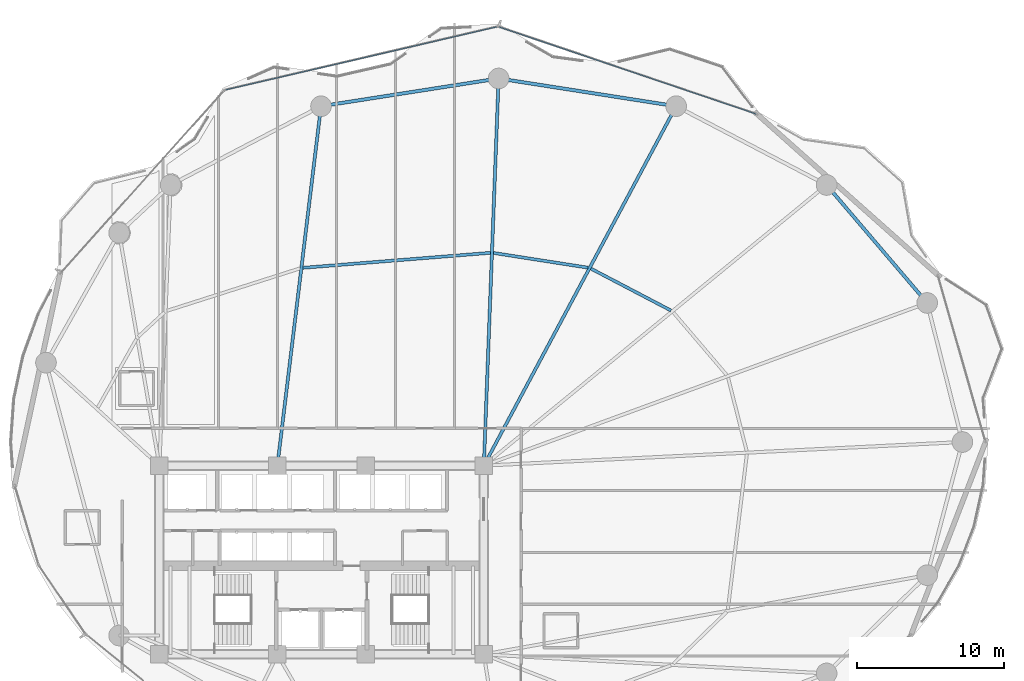
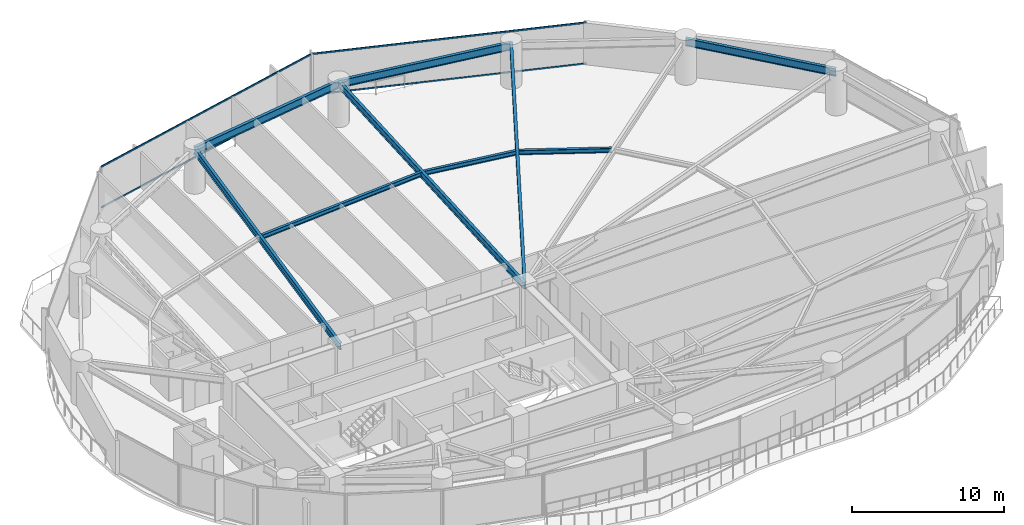
# One storey, part 20 of 31: 9 beams, 4 members, 2 elements without a shape of their own.
"""IFC4 building model written with IfcOpenShell, lengths in metres."""

from ifc_helpers import new_model, si_unit, direction, frame, origin, origin_2d, place, context, subcontext, project, spatial, hollow_rectangle, i_section, extrude, material, layer, layer_set, material_profile, profile_set, type_object, element, aggregate, save


model = new_model("IFC4")

# Units and contexts
model_context = context("Model", 3, precision=1e-05, world=origin(), true_north=direction((0.0, 1.0)))
body_context = subcontext(model_context, "Body", "Model", "MODEL_VIEW")
ifc_project = project(units=[si_unit("LENGTHUNIT", "METRE"), si_unit("AREAUNIT", "SQUARE_METRE"), si_unit("VOLUMEUNIT", "CUBIC_METRE"), si_unit("PLANEANGLEUNIT", "RADIAN"), si_unit("MASSUNIT", "GRAM", prefix="KILO")], contexts=[model_context])

# Site, building, storey
site_placement = place(None, origin())
site = spatial("IfcSite", under=ifc_project, at=site_placement, CompositionType="ELEMENT")
building_placement = place(site_placement, origin())
building = spatial("IfcBuilding", under=site, at=building_placement, Name="Kazevale Care Tower and Concert Hall", CompositionType="ELEMENT")
storey_placement = place(building_placement, frame((0.0, 0.0, 78.0)))
storey = spatial("IfcBuildingStorey", under=building, at=storey_placement, Name="L20", CompositionType="ELEMENT", Elevation=78.0)

# Curtain wall, members
ifc_material_1 = material(Name="Aluminium 6063-T6 and Low-E Glass", Category="aluminium")
ifc_layer_1 = layer(ifc_material_1, 0.179931640625)
ifc_layer_set_1 = layer_set([ifc_layer_1], Name="Aluminium 6063-T6 and Low-E Glass")
curtain_wall_type_1 = type_object("IfcCurtainWallType", Name="Convex Checkerboard Finned Curtain Wall CW-2", PredefinedType="NOTDEFINED", material=ifc_layer_set_1)
curtain_wall_1_placement = place(storey_placement, origin())
curtain_wall_1 = element("IfcCurtainWall", 1, at=curtain_wall_1_placement, inside=storey, type_object=curtain_wall_type_1, Name="cw:L20:f16", PredefinedType="NOTDEFINED")
ifc_material_2 = material(Name="Aluminium 6063-T6", Category="aluminium")
ifc_material_profile_1 = material_profile(ifc_material_2, hollow_rectangle(XDim=0.074951171875, YDim=0.1201171875, WallThickness=0.00390625, at=origin_2d()), Name="ALU75x120x4")
ifc_profile_set_1 = profile_set([ifc_material_profile_1], Name="Aluminium 6063-T6")
member_type_1 = type_object("IfcMemberType", Name="CW-2 Transom ALU75x120x4", PredefinedType="USERDEFINED", material=ifc_profile_set_1)
member_1_placement = place(storey_placement, frame((45.03173828125, 66.142333984375, 0.03759765625), z_axis=(0.947204752806, -0.320629312855, 0.0), x_axis=(0.320629312855, 0.947204752806, 0.0)))
member_1 = element("IfcMember", 2, at=member_1_placement, type_object=member_type_1, Name="CW-2 transom 1.1", ObjectType="TRANSOM", PredefinedType="USERDEFINED", context=body_context, shape_type="SweptSolid", body=[
    extrude(hollow_rectangle(XDim=0.074951171875, YDim=0.1201171875, WallThickness=0.00390625, at=origin_2d()), origin(), (0.0, 0.0, 1.0), 18.40625),
])
member_2_placement = place(storey_placement, frame((45.03173828125, 66.142333984375, 3.322509765625), z_axis=(0.947204752806, -0.320629312855, 0.0), x_axis=(0.320629312855, 0.947204752806, 0.0)))
member_2 = element("IfcMember", 3, at=member_2_placement, type_object=member_type_1, Name="CW-2 transom 1.2", ObjectType="TRANSOM", PredefinedType="USERDEFINED", context=body_context, shape_type="SweptSolid", body=[
    extrude(hollow_rectangle(XDim=0.074951171875, YDim=0.1201171875, WallThickness=0.00390625, at=origin_2d()), origin(), (0.0, 0.0, 1.0), 18.40625),
])
aggregate(curtain_wall_1, [member_1, member_2])

ifc_layer_2 = layer(ifc_material_1, 0.179931640625)
ifc_layer_set_2 = layer_set([ifc_layer_2], Name="Aluminium 6063-T6 and Low-E Glass")
curtain_wall_type_2 = type_object("IfcCurtainWallType", Name="Convex Recessed Sunroom Curtain Wall CW-3", PredefinedType="NOTDEFINED", material=ifc_layer_set_2)
curtain_wall_2_placement = place(storey_placement, origin())
curtain_wall_2 = element("IfcCurtainWall", 4, at=curtain_wall_2_placement, inside=storey, type_object=curtain_wall_type_2, Name="cw:L20:f15", PredefinedType="NOTDEFINED")
ifc_material_profile_2 = material_profile(ifc_material_2, hollow_rectangle(XDim=0.074951171875, YDim=0.1201171875, WallThickness=0.00390625, at=origin_2d()), Name="ALU75x120x4")
ifc_profile_set_2 = profile_set([ifc_material_profile_2], Name="Aluminium 6063-T6")
member_type_2 = type_object("IfcMemberType", Name="CW-3 Transom ALU75x120x4", PredefinedType="USERDEFINED", material=ifc_profile_set_2)
member_3_placement = place(storey_placement, frame((26.498046875, 61.8798828125, 0.03759765625), z_axis=(0.974058773015, 0.226295176069, 0.0), x_axis=(-0.226295176069, 0.974058773015, 0.0)))
member_3 = element("IfcMember", 5, at=member_3_placement, type_object=member_type_2, Name="CW-3 transom 1.1", ObjectType="TRANSOM", PredefinedType="USERDEFINED", context=body_context, shape_type="SweptSolid", body=[
    extrude(hollow_rectangle(XDim=0.074951171875, YDim=0.1201171875, WallThickness=0.00390625, at=origin_2d()), origin(), (0.0, 0.0, 1.0), 18.874755859375),
])
member_4_placement = place(storey_placement, frame((26.498046875, 61.8798828125, 3.322509765625), z_axis=(0.974058773015, 0.226295176069, 0.0), x_axis=(-0.226295176069, 0.974058773015, 0.0)))
member_4 = element("IfcMember", 6, at=member_4_placement, type_object=member_type_2, Name="CW-3 transom 1.2", ObjectType="TRANSOM", PredefinedType="USERDEFINED", context=body_context, shape_type="SweptSolid", body=[
    extrude(hollow_rectangle(XDim=0.074951171875, YDim=0.1201171875, WallThickness=0.00390625, at=origin_2d()), origin(), (0.0, 0.0, 1.0), 18.874755859375),
])
aggregate(curtain_wall_2, [member_3, member_4])

# Beams
ifc_material_3 = material(Name="Steel ASTM A572 Gr 50", Category="steel")
ifc_material_profile_3 = material_profile(ifc_material_3, i_section(OverallWidth=0.2119140625, OverallDepth=0.5439453125, WebThickness=0.01318359375, FlangeThickness=0.021240234375, at=origin_2d()), Name="W530x123")
ifc_profile_set_3 = profile_set([ifc_material_profile_3], Name="Steel ASTM A572 Gr 50")
beam_type_1 = type_object("IfcBeamType", Name="Radial Floor Girder W530x123", PredefinedType="BEAM", material=ifc_profile_set_3)
beam_1_placement = place(storey_placement, frame((44.0, 36.39990234375, 3.087890625), z_axis=(0.471788966953, 0.88171150081, 0.0), x_axis=(-0.88171150081, 0.471788966953, 0.0)))
element("IfcBeam", 7, at=beam_1_placement, inside=storey, type_object=beam_type_1, Name="beam:L20:rad:04", PredefinedType="BEAM", context=body_context, shape_type="SweptSolid", body=[
    extrude(i_section(OverallWidth=0.2119140625, OverallDepth=0.5439453125, WebThickness=0.01318359375, FlangeThickness=0.021240234375, at=origin_2d()), origin(), (0.0, 0.0, 1.0), 27.6396484375),
])
beam_2_placement = place(storey_placement, frame((44.0, 36.39990234375, 3.087890625), z_axis=(0.038067625343, 0.999275165258, 0.0), x_axis=(-0.999275165258, 0.038067625343, 0.0)))
element("IfcBeam", 8, at=beam_2_placement, inside=storey, type_object=beam_type_1, Name="beam:L20:rad:05", PredefinedType="BEAM", context=body_context, shape_type="SweptSolid", body=[
    extrude(i_section(OverallWidth=0.2119140625, OverallDepth=0.5439453125, WebThickness=0.01318359375, FlangeThickness=0.021240234375, at=origin_2d()), origin(), (0.0, 0.0, 1.0), 26.26904296875),
])
beam_3_placement = place(storey_placement, frame((30.0, 36.39990234375, 3.087890625), z_axis=(0.120572526662, 0.9927045209, 0.0), x_axis=(-0.9927045209, 0.120572526662, 0.0)))
element("IfcBeam", 9, at=beam_3_placement, inside=storey, type_object=beam_type_1, Name="beam:L20:rad:06", PredefinedType="BEAM", context=body_context, shape_type="SweptSolid", body=[
    extrude(i_section(OverallWidth=0.2119140625, OverallDepth=0.5439453125, WebThickness=0.01318359375, FlangeThickness=0.021240234375, at=origin_2d()), origin(), (0.0, 0.0, 1.0), 24.54931640625),
])
ifc_material_profile_4 = material_profile(ifc_material_3, i_section(OverallWidth=0.22900390625, OverallDepth=0.612060546875, WebThickness=0.011962890625, FlangeThickness=0.01953125, at=origin_2d()), Name="W610x125")
ifc_profile_set_4 = profile_set([ifc_material_profile_4], Name="Steel ASTM A572 Gr 50")
beam_type_2 = type_object("IfcBeamType", Name="Ring Spandrel Beam W610x125", PredefinedType="SPANDREL", material=ifc_profile_set_4)
beam_4_placement = place(storey_placement, frame((74.06005859375, 47.429931640625, 3.053955078125), z_axis=(-0.648756004283, 0.760996482848, 0.0), x_axis=(-0.760996482848, -0.648756004283, 0.0)))
element("IfcBeam", 10, at=beam_4_placement, inside=storey, type_object=beam_type_2, Name="beam:L20:ring:02", PredefinedType="SPANDREL", context=body_context, shape_type="SweptSolid", body=[
    extrude(i_section(OverallWidth=0.22900390625, OverallDepth=0.612060546875, WebThickness=0.011962890625, FlangeThickness=0.01953125, at=origin_2d()), origin(), (0.0, 0.0, 1.0), 10.512451171875),
])
for number, where, z_axis, x_axis, name in (
    (11, (57.0400390625, 60.77001953125, 3.053955078125), (-0.988029216561, 0.154266870134, 0.0), (-0.154266870134, -0.988029216561, 0.0), "beam:L20:ring:04"),
    (12, (45.0, 62.64990234375, 3.053955078125), (-0.988029216561, -0.154266870134, 0.0), (0.154266870134, -0.988029216561, 0.0), "beam:L20:ring:05"),
):
    element("IfcBeam", number, at=place(storey_placement, frame(where, z_axis=z_axis, x_axis=x_axis)), inside=storey, type_object=beam_type_2, Name=name, PredefinedType="SPANDREL", context=body_context, shape_type="SweptSolid", body=[
        extrude(i_section(OverallWidth=0.22900390625, OverallDepth=0.612060546875, WebThickness=0.011962890625, FlangeThickness=0.01953125, at=origin_2d()), origin(), (0.0, 0.0, 1.0), 12.18603515625),
    ])
ifc_material_profile_5 = material_profile(ifc_material_3, i_section(OverallWidth=0.205078125, OverallDepth=0.35400390625, WebThickness=0.009521484375, FlangeThickness=0.016845703125, at=origin_2d()), Name="W360x79")
ifc_profile_set_5 = profile_set([ifc_material_profile_5], Name="Steel ASTM A572 Gr 50")
beam_type_3 = type_object("IfcBeamType", Name="Secondary Floor Joist W360x79", PredefinedType="JOIST", material=ifc_profile_set_5)
beam_5_placement = place(storey_placement, frame((56.68896484375, 46.9150390625, 3.18310546875), z_axis=(-0.885921274797, 0.463835633454, 0.0), x_axis=(-0.463835633454, -0.885921274797, 0.0)))
element("IfcBeam", 13, at=beam_5_placement, inside=storey, type_object=beam_type_3, Name="beam:L20:joist:03", PredefinedType="JOIST", context=body_context, shape_type="SweptSolid", body=[
    extrude(i_section(OverallWidth=0.205078125, OverallDepth=0.35400390625, WebThickness=0.009521484375, FlangeThickness=0.016845703125, at=origin_2d()), origin(), (0.0, 0.0, 1.0), 6.12255859375),
])
beam_6_placement = place(storey_placement, frame((51.068115234375, 49.820068359375, 3.18310546875), z_axis=(-0.988040697826, 0.154193318403, 0.0), x_axis=(-0.154193318403, -0.988040697826, 0.0)))
element("IfcBeam", 14, at=beam_6_placement, inside=storey, type_object=beam_type_3, Name="beam:L20:joist:04", PredefinedType="JOIST", context=body_context, shape_type="SweptSolid", body=[
    extrude(i_section(OverallWidth=0.205078125, OverallDepth=0.35400390625, WebThickness=0.009521484375, FlangeThickness=0.016845703125, at=origin_2d()), origin(), (0.0, 0.0, 1.0), 6.49169921875),
])
beam_7_placement = place(storey_placement, frame((44.445068359375, 50.8291015625, 3.18310546875), z_axis=(-0.996814548036, -0.079754353015, 0.0), x_axis=(0.079754353015, -0.996814548036, 0.0)))
element("IfcBeam", 15, at=beam_7_placement, inside=storey, type_object=beam_type_3, Name="beam:L20:joist:05", PredefinedType="JOIST", context=body_context, shape_type="SweptSolid", body=[
    extrude(i_section(OverallWidth=0.205078125, OverallDepth=0.35400390625, WebThickness=0.009521484375, FlangeThickness=0.016845703125, at=origin_2d()), origin(), (0.0, 0.0, 1.0), 12.752685546875),
])

save(model, "model.ifc")
